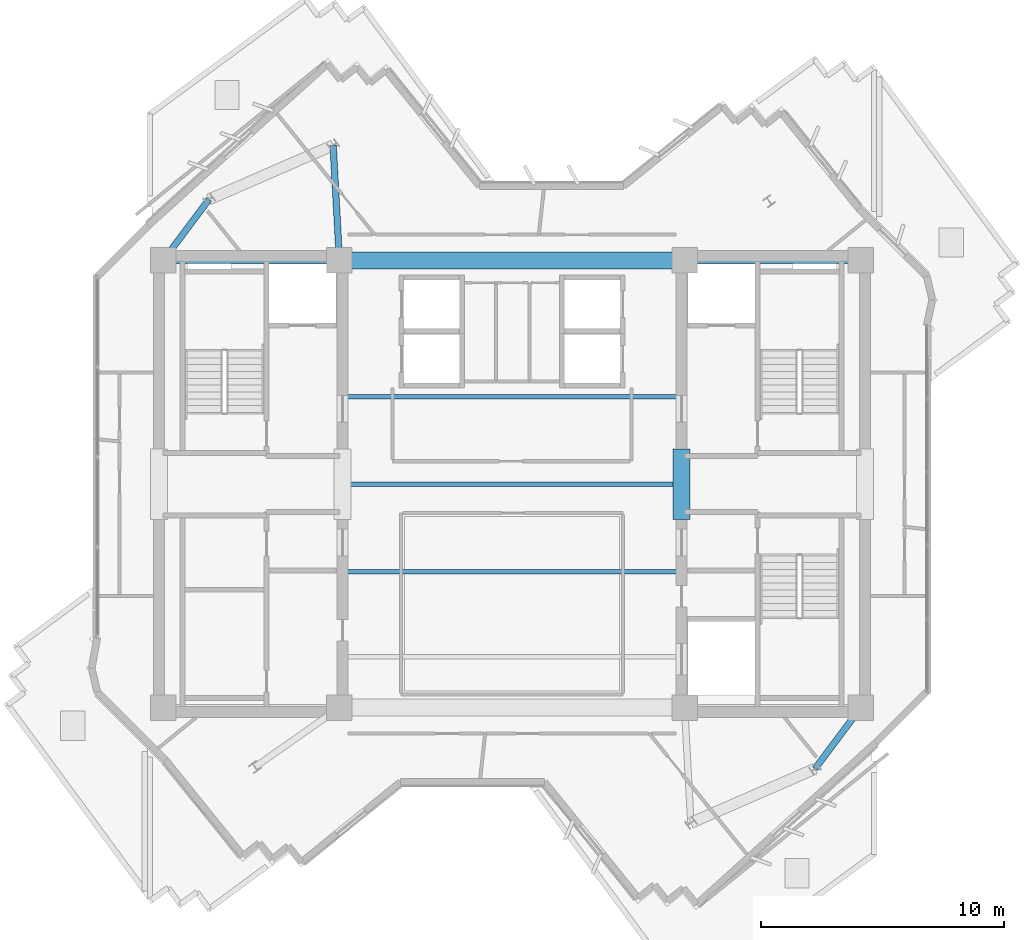
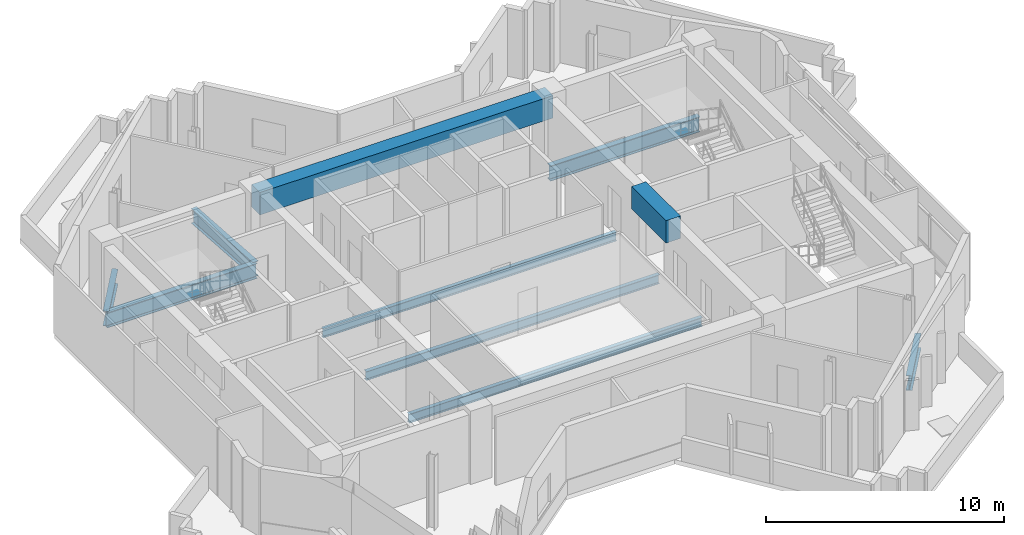
# One storey, part 3 of 12: 10 beams.
"""IFC4 building model written with IfcOpenShell, lengths in metres."""

from ifc_helpers import new_model, si_unit, direction, frame, origin, origin_2d, place, context, subcontext, project, spatial, rectangle, i_section, extrude, source, transform, mapped, material, material_profile, profile_set, type_object, element, save


model = new_model("IFC4")

# Units and contexts
model_context = context("Model", 3, precision=1e-05, world=origin(), true_north=direction((0.0, 1.0)))
body_context = subcontext(model_context, "Body", "Model", "MODEL_VIEW")
ifc_project = project(units=[si_unit("LENGTHUNIT", "METRE"), si_unit("AREAUNIT", "SQUARE_METRE"), si_unit("VOLUMEUNIT", "CUBIC_METRE"), si_unit("PLANEANGLEUNIT", "RADIAN"), si_unit("MASSUNIT", "GRAM", prefix="KILO")], contexts=[model_context])

# Site, building, storey
site_placement = place(None, origin())
site = spatial("IfcSite", under=ifc_project, at=site_placement, CompositionType="ELEMENT")
building_placement = place(site_placement, origin())
building = spatial("IfcBuilding", under=site, at=building_placement, Name="Zahravan Cultural Tower", CompositionType="ELEMENT")
storey_placement = place(building_placement, frame((0.0, 0.0, 280.35009765625)))
storey = spatial("IfcBuildingStorey", under=building, at=storey_placement, Name="L67", CompositionType="ELEMENT", Elevation=280.35009765625)

# Beams
ifc_material_1 = material(Name="Concrete C50/60", Category="concrete")
ifc_material_profile_1 = material_profile(ifc_material_1, rectangle(XDim=0.699951171875, YDim=1.14990234375, at=origin_2d()), Name="RC700X1150")
ifc_profile_set_1 = profile_set([ifc_material_profile_1], Name="Concrete C50/60")
beam_type_1 = type_object("IfcBeamType", Name="BM-LN-RC700X1150", PredefinedType="LINTEL", material=ifc_profile_set_1)
shared_shape_1 = source(origin(), body_context, "Body", "SweptSolid", [
    extrude(rectangle(XDim=0.699951171875, YDim=1.14990234375, at=origin_2d()), origin(), (0.0, 0.0, 1.0), 14.2001953125),
])
beam_1_placement = place(storey_placement, frame((28.89990234375, 36.199951171875, 2.9248046875), z_axis=(1.0, 0.0, 0.0), x_axis=(0.0, 1.0, 0.0)))
element("IfcBeam", 1, at=beam_1_placement, inside=storey, type_object=beam_type_1, Name="L67 Beam LN-L67-N", PredefinedType="LINTEL", context=body_context, shape_type="MappedRepresentation", body=[
    mapped(shared_shape_1, transform((0.0, 0.0, 0.0), x_axis=(1.0, 0.0, 0.0), y_axis=(0.0, 1.0, 0.0), z_axis=(0.0, 0.0, 1.0), scale=1.0)),
])
shared_shape_2 = source(origin(), body_context, "Body", "SweptSolid", [
    extrude(rectangle(XDim=0.699951171875, YDim=1.14990234375, at=origin_2d()), origin(), (0.0, 0.0, 1.0), 2.89990234375),
])
beam_2_placement = place(storey_placement, frame((42.97509765625, 25.550048828125, 2.9248046875), z_axis=(0.0, 1.0, 0.0), x_axis=(-1.0, 0.0, 0.0)))
element("IfcBeam", 2, at=beam_2_placement, inside=storey, type_object=beam_type_1, Name="L67 Beam LN-L67-PEW", PredefinedType="LINTEL", context=body_context, shape_type="MappedRepresentation", body=[
    mapped(shared_shape_2, transform((0.0, 0.0, 0.0), x_axis=(1.0, 0.0, 0.0), y_axis=(0.0, 1.0, 0.0), z_axis=(0.0, 0.0, 1.0), scale=1.0)),
])
ifc_material_2 = material(Name="Steel ASTM A992 Grade 50", Category="steel")
ifc_material_profile_2 = material_profile(ifc_material_2, i_section(OverallWidth=0.26611328125, OverallDepth=0.780029296875, WebThickness=0.0166015625, FlangeThickness=0.030029296875, FilletRadius=0.01904296875, at=origin_2d()), Name="W30X148")
ifc_profile_set_2 = profile_set([ifc_material_profile_2], Name="Steel ASTM A992 Grade 50")
beam_type_2 = type_object("IfcBeamType", Name="BM-G-W30X148", PredefinedType="BEAM", material=ifc_profile_set_2)
shared_shape_3 = source(origin(), body_context, "Body", "SweptSolid", [
    extrude(i_section(OverallWidth=0.26611328125, OverallDepth=0.780029296875, WebThickness=0.0166015625, FlangeThickness=0.030029296875, FilletRadius=0.01904296875, at=origin_2d()), origin(), (0.0, 0.0, 1.0), 7.25),
])
for number, where, z_axis, x_axis, name in (
    (3, (21.64990234375, 36.199951171875, -0.64013671875), (1.0, 0.0, 0.0), (0.0, 1.0, 0.0), "L67 Beam BG-L67-02"),
    (4, (43.10009765625, 36.199951171875, -0.64013671875), (1.0, 0.0, 0.0), (0.0, 1.0, 0.0), "L67 Beam BG-L67-05"),
):
    element("IfcBeam", number, at=place(storey_placement, frame(where, z_axis=z_axis, x_axis=x_axis)), inside=storey, type_object=beam_type_2, Name=name, PredefinedType="BEAM", context=body_context, shape_type="MappedRepresentation", body=[
        mapped(shared_shape_3, transform((0.0, 0.0, 0.0), x_axis=(1.0, 0.0, 0.0), y_axis=(0.0, 1.0, 0.0), z_axis=(0.0, 0.0, 1.0), scale=1.0)),
    ])
ifc_material_profile_3 = material_profile(ifc_material_2, i_section(OverallWidth=0.26708984375, OverallDepth=0.761962890625, WebThickness=0.014404296875, FlangeThickness=0.021484375, FilletRadius=0.01904296875, at=origin_2d()), Name="W30X116")
ifc_profile_set_3 = profile_set([ifc_material_profile_3], Name="Steel ASTM A992 Grade 50")
beam_type_3 = type_object("IfcBeamType", Name="BM-G-W30X116", PredefinedType="BEAM", material=ifc_profile_set_3)
shared_shape_4 = source(origin(), body_context, "Body", "SweptSolid", [
    extrude(i_section(OverallWidth=0.26708984375, OverallDepth=0.761962890625, WebThickness=0.014404296875, FlangeThickness=0.021484375, FilletRadius=0.01904296875, at=origin_2d()), origin(), (0.0, 0.0, 1.0), 4.744384765625),
])
beam_3_placement = place(storey_placement, frame((28.89990234375, 36.199951171875, -0.631103515625), z_axis=(-0.054238739845, 0.998527996152, 0.0), x_axis=(-0.998527996152, -0.054238739845, 0.0)))
element("IfcBeam", 5, at=beam_3_placement, inside=storey, type_object=beam_type_3, Name="L67 Beam BG-L67-10", PredefinedType="BEAM", context=body_context, shape_type="MappedRepresentation", body=[
    mapped(shared_shape_4, transform((0.0, 0.0, 0.0), x_axis=(1.0, 0.0, 0.0), y_axis=(0.0, 1.0, 0.0), z_axis=(0.0, 0.0, 1.0), scale=1.0)),
])
shared_shape_5 = source(origin(), body_context, "Body", "SweptSolid", [
    extrude(i_section(OverallWidth=0.26708984375, OverallDepth=0.761962890625, WebThickness=0.014404296875, FlangeThickness=0.021484375, FilletRadius=0.01904296875, at=origin_2d()), origin(), (0.0, 0.0, 1.0), 3.140380859375),
])
for number, where, z_axis, x_axis, name in (
    (6, (50.35009765625, 17.800048828125, -0.631103515625), (-0.600696322208, -0.799477284534, 0.0), (0.799477284534, -0.600696322208, 0.0), "L67 Beam BG-L67-09"),
    (7, (21.64990234375, 36.199951171875, -0.631103515625), (0.600696322208, 0.799477284534, 0.0), (-0.799477284534, 0.600696322208, 0.0), "L67 Beam BG-L67-11"),
):
    element("IfcBeam", number, at=place(storey_placement, frame(where, z_axis=z_axis, x_axis=x_axis)), inside=storey, type_object=beam_type_3, Name=name, PredefinedType="BEAM", context=body_context, shape_type="MappedRepresentation", body=[
        mapped(shared_shape_5, transform((0.0, 0.0, 0.0), x_axis=(1.0, 0.0, 0.0), y_axis=(0.0, 1.0, 0.0), z_axis=(0.0, 0.0, 1.0), scale=1.0)),
    ])
ifc_material_profile_4 = material_profile(ifc_material_2, i_section(OverallWidth=0.18994140625, OverallDepth=0.45703125, WebThickness=0.009033203125, FlangeThickness=0.014404296875, FilletRadius=0.012939453125, at=origin_2d()), Name="W18X50")
ifc_profile_set_4 = profile_set([ifc_material_profile_4], Name="Steel ASTM A992 Grade 50")
beam_type_4 = type_object("IfcBeamType", Name="BM-J-W18X50", PredefinedType="JOIST", material=ifc_profile_set_4)
shared_shape_6 = source(origin(), body_context, "Body", "SweptSolid", [
    extrude(i_section(OverallWidth=0.18994140625, OverallDepth=0.45703125, WebThickness=0.009033203125, FlangeThickness=0.014404296875, FilletRadius=0.012939453125, at=origin_2d()), origin(), (0.0, 0.0, 1.0), 14.2001953125),
])
for number, where, z_axis, x_axis, name in (
    (8, (28.89990234375, 23.39990234375, -0.478515625), (1.0, 0.0, 0.0), (0.0, 1.0, 0.0), "L67 Beam BJ-L67-15"),
    (9, (28.89990234375, 27.0, -0.478515625), (1.0, 0.0, 0.0), (0.0, 1.0, 0.0), "L67 Beam BJ-L67-16"),
    (10, (28.89990234375, 30.60009765625, -0.478515625), (1.0, 0.0, 0.0), (0.0, 1.0, 0.0), "L67 Beam BJ-L67-17"),
):
    element("IfcBeam", number, at=place(storey_placement, frame(where, z_axis=z_axis, x_axis=x_axis)), inside=storey, type_object=beam_type_4, Name=name, PredefinedType="JOIST", context=body_context, shape_type="MappedRepresentation", body=[
        mapped(shared_shape_6, transform((0.0, 0.0, 0.0), x_axis=(1.0, 0.0, 0.0), y_axis=(0.0, 1.0, 0.0), z_axis=(0.0, 0.0, 1.0), scale=1.0)),
    ])

save(model, "model.ifc")
